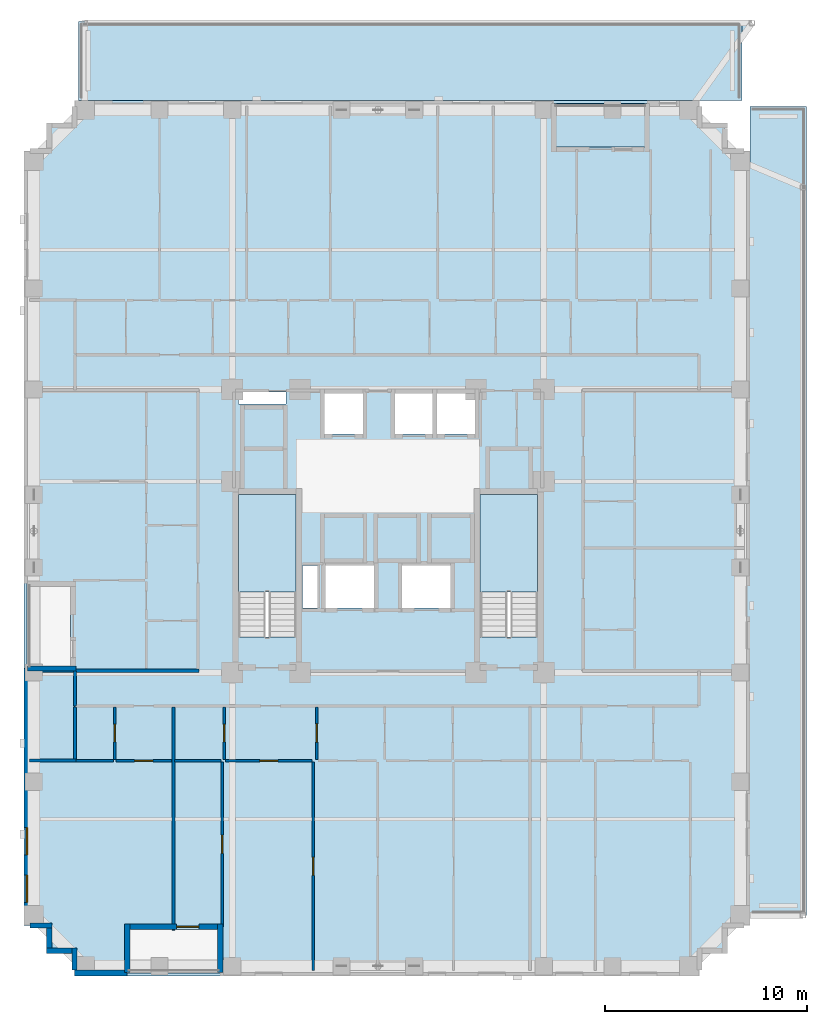
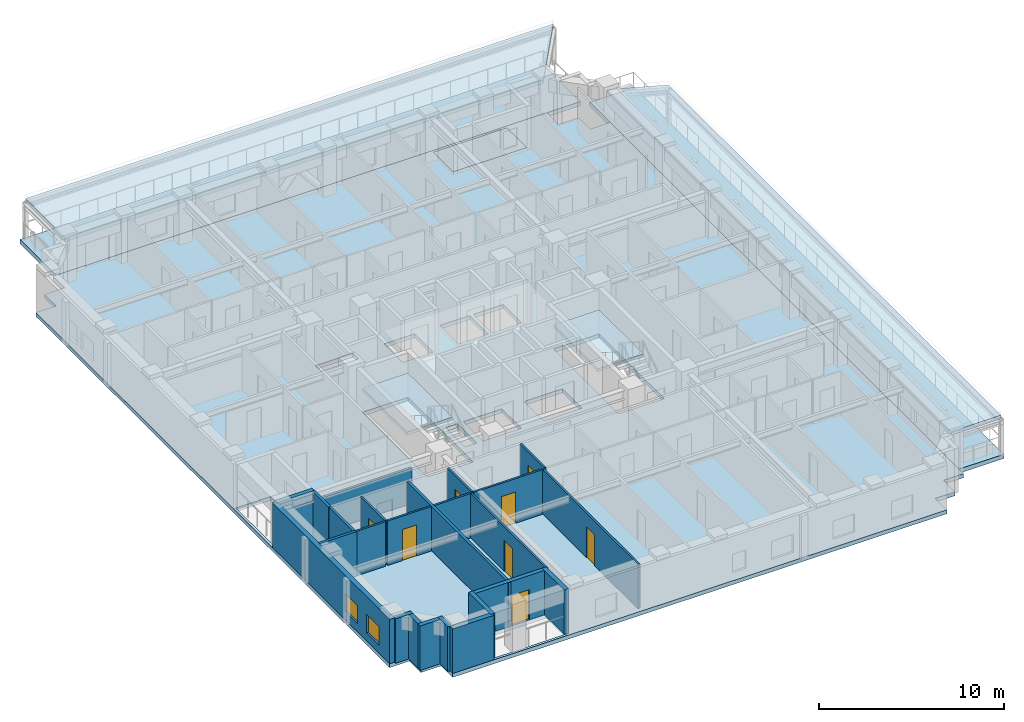
# One storey, part 6 of 16: 24 walls, 8 doors, 8 slabs, 2 windows, 10 openings, 2 elements without a shape of their own.
"""IFC4 building model written with IfcOpenShell, lengths in metres."""

from ifc_helpers import new_model, si_unit, derived_unit, direction, frame, frame_2d, origin, place, context, subcontext, project, spatial, polyline, rectangle, outline, extrude, material, layer, layer_set, type_object, element, fill, aggregate, save


model = new_model("IFC4")

# Units and contexts
model_context = context("Model", 3, precision=1e-05, world=origin(), true_north=direction((0.0, 1.0)))
body_context = subcontext(model_context, "Body", "Model", "MODEL_VIEW")
ifc_project = project(units=[si_unit("LENGTHUNIT", "METRE"), si_unit("AREAUNIT", "SQUARE_METRE"), si_unit("VOLUMEUNIT", "CUBIC_METRE"), si_unit("PLANEANGLEUNIT", "RADIAN"), si_unit("MASSUNIT", "GRAM", prefix="KILO"), derived_unit("THERMALTRANSMITTANCEUNIT", [(si_unit("MASSUNIT", "GRAM", prefix="KILO"), 1), (si_unit("TIMEUNIT", "SECOND"), -3), (si_unit("THERMODYNAMICTEMPERATUREUNIT", "KELVIN"), -1)])], contexts=[model_context])

# Site, building, storey
site_placement = place(None, origin())
site = spatial("IfcSite", under=ifc_project, at=site_placement, CompositionType="ELEMENT")
building_placement = place(site_placement, origin())
building = spatial("IfcBuilding", under=site, at=building_placement, Name="Korrvale Station Residences", CompositionType="ELEMENT")
storey_placement = place(building_placement, frame((0.0, 0.0, 75.10009765625)))
storey = spatial("IfcBuildingStorey", under=building, at=storey_placement, Name="L20", CompositionType="ELEMENT", Elevation=75.10009765625)

# Slabs
ifc_material_1 = material(Name="Concrete C50/60", Category="concrete")
ifc_layer_1 = layer(ifc_material_1, 0.219970703125, Name="Concrete C50/60")
ifc_layer_set_1 = layer_set([ifc_layer_1], Name="Concrete C50/60")
slab_type_1 = type_object("IfcSlabType", Name="SLB-BAL-220", PredefinedType="FLOOR", material=ifc_layer_set_1)
slab_1_placement = place(storey_placement, frame((0.0, 0.0, -0.22021484375)))
element("IfcSlab", 1, at=slab_1_placement, inside=storey, type_object=slab_type_1, Name="L20 Recessed Loggia Balcony Slab BAL-L20-N1", PredefinedType="FLOOR", context=body_context, shape_type="SweptSolid", body=[
    extrude(outline(polyline([(33.699951171875, 41.0), (38.300048828125, 41.0), (38.300048828125, 43.14990234375), (33.699951171875, 43.14990234375), (33.699951171875, 41.0)])), origin(), (0.0, 0.0, 1.0), 0.22021484375),
])
ifc_layer_2 = layer(ifc_material_1, 0.260009765625, Name="Concrete C50/60")
ifc_layer_set_2 = layer_set([ifc_layer_2], Name="Concrete C50/60")
slab_type_2 = type_object("IfcSlabType", Name="SLB-FLR-260", PredefinedType="FLOOR", material=ifc_layer_set_2)
slab_2_placement = place(storey_placement, frame((0.0, 0.0, -0.260009765625)))
element("IfcSlab", 2, at=slab_2_placement, inside=storey, type_object=slab_type_2, Name="L20 Suspended Structural Floor Slab", PredefinedType="FLOOR", context=body_context, shape_type="SweptSolid", body=[
    extrude(outline(polyline([(10.0, 0.0), (40.89990234375, 0.0), (40.89990234375, 1.25), (42.14990234375, 1.25), (42.14990234375, 2.5), (43.39990234375, 2.5), (43.39990234375, 40.800048828125), (42.14990234375, 40.800048828125), (42.14990234375, 42.050048828125), (40.89990234375, 42.050048828125), (40.89990234375, 43.300048828125), (10.0, 43.300048828125), (10.0, 42.050048828125), (8.75, 42.050048828125), (8.75, 40.800048828125), (7.5, 40.800048828125), (7.5, 2.5), (8.75, 2.5), (8.75, 1.25), (10.0, 1.25), (10.0, 0.0)]), holes=[polyline([(20.949951171875, 16.751953125), (20.949951171875, 23.800048828125), (18.10009765625, 23.800048828125), (18.10009765625, 16.751953125), (20.949951171875, 16.751953125)]), polyline([(32.89990234375, 16.751953125), (32.89990234375, 23.800048828125), (30.050048828125, 23.800048828125), (30.050048828125, 16.751953125), (32.89990234375, 16.751953125)]), polyline([(22.35009765625, 26.800048828125), (24.25, 26.800048828125), (24.25, 28.800048828125), (22.35009765625, 28.800048828125), (22.35009765625, 26.800048828125)]), polyline([(25.85009765625, 26.800048828125), (27.7099609375, 26.800048828125), (27.7099609375, 28.800048828125), (25.85009765625, 28.800048828125), (25.85009765625, 26.800048828125)]), polyline([(27.929931640625, 26.800048828125), (29.7900390625, 26.800048828125), (29.7900390625, 28.800048828125), (27.929931640625, 28.800048828125), (27.929931640625, 26.800048828125)]), polyline([(22.39990234375, 18.199951171875), (24.800048828125, 18.199951171875), (24.800048828125, 20.300048828125), (22.39990234375, 20.300048828125), (22.39990234375, 18.199951171875)]), polyline([(26.199951171875, 18.199951171875), (28.60009765625, 18.199951171875), (28.60009765625, 20.300048828125), (26.199951171875, 20.300048828125), (26.199951171875, 18.199951171875)]), polyline([(18.10009765625, 28.280029296875), (20.449951171875, 28.280029296875), (20.449951171875, 28.8798828125), (18.10009765625, 28.8798828125), (18.10009765625, 28.280029296875)]), polyline([(21.280029296875, 18.199951171875), (22.02001953125, 18.199951171875), (22.02001953125, 20.300048828125), (21.280029296875, 20.300048828125), (21.280029296875, 18.199951171875)]), polyline([(12.60009765625, 0.14990234375), (17.199951171875, 0.14990234375), (17.199951171875, 2.300048828125), (12.60009765625, 2.300048828125), (12.60009765625, 0.14990234375)]), polyline([(33.699951171875, 41.0), (38.300048828125, 41.0), (38.300048828125, 43.14990234375), (33.699951171875, 43.14990234375), (33.699951171875, 41.0)]), polyline([(7.64990234375, 15.199951171875), (9.800048828125, 15.199951171875), (9.800048828125, 19.39990234375), (7.64990234375, 19.39990234375), (7.64990234375, 15.199951171875)])]), origin(), (0.0, 0.0, 1.0), 0.260009765625),
])

# Stair, slab
stair_type = type_object("IfcStairType", Name="STR-DL-1350-18R-1778", PredefinedType="HALF_TURN_STAIR", material=ifc_material_1)
stair_1_placement = place(storey_placement, origin())
stair_1 = element("IfcStair", 3, at=stair_1_placement, inside=storey, type_object=stair_type, Name="L20 Exit Stair 1", PredefinedType="HALF_TURN_STAIR")
ifc_layer_3 = layer(ifc_material_1, 0.199951171875, Name="Concrete C50/60")
ifc_layer_set_3 = layer_set([ifc_layer_3], Name="Concrete C50/60")
slab_type_3 = type_object("IfcSlabType", Name="SLB-LND-200", PredefinedType="LANDING", material=ifc_layer_set_3)
slab_3_placement = place(storey_placement, frame((0.0, 0.0, 1.39990234375)))
slab_3 = element("IfcSlab", 4, at=slab_3_placement, type_object=slab_type_3, Name="ST-1 landing 1", PredefinedType="LANDING", context=body_context, shape_type="SweptSolid", body=[
    extrude(outline(polyline([(20.949951171875, 18.989990234375), (20.949951171875, 23.800048828125), (18.10009765625, 23.800048828125), (18.10009765625, 18.989990234375), (20.949951171875, 18.989990234375)])), origin(), (0.0, 0.0, 1.0), 0.199951171875),
])
aggregate(stair_1, [slab_3])

stair_2_placement = place(storey_placement, origin())
stair_2 = element("IfcStair", 5, at=stair_2_placement, inside=storey, type_object=stair_type, Name="L20 Exit Stair 2", PredefinedType="HALF_TURN_STAIR")
slab_4_placement = place(storey_placement, frame((0.0, 0.0, 1.39990234375)))
slab_4 = element("IfcSlab", 6, at=slab_4_placement, type_object=slab_type_3, Name="ST-2 landing 1", PredefinedType="LANDING", context=body_context, shape_type="SweptSolid", body=[
    extrude(outline(polyline([(32.89990234375, 18.989990234375), (32.89990234375, 23.800048828125), (30.050048828125, 23.800048828125), (30.050048828125, 18.989990234375), (32.89990234375, 18.989990234375)])), origin(), (0.0, 0.0, 1.0), 0.199951171875),
])
aggregate(stair_2, [slab_4])

# Slabs
ifc_layer_4 = layer(ifc_material_1, 0.300048828125, Name="Concrete C50/60")
ifc_layer_set_4 = layer_set([ifc_layer_4], Name="Concrete C50/60")
slab_type_4 = type_object("IfcSlabType", Name="SLB-ROOF-300", PredefinedType="ROOF", material=ifc_layer_set_4)
slab_5_placement = place(storey_placement, frame((0.0, 0.0, 2.39990234375)))
element("IfcSlab", 7, at=slab_5_placement, inside=storey, type_object=slab_type_4, Name="L20 Frame-Carried Setback Terrace Roof Deck TER-L20-N", PredefinedType="ROOF", context=body_context, shape_type="SweptSolid", body=[
    extrude(outline(polyline([(10.5, 47.1201171875), (43.5, 47.1201171875), (40.39990234375, 42.820068359375), (10.5, 42.820068359375), (10.5, 47.1201171875)])), origin(), (0.0, 0.0, 1.0), 0.25),
])
slab_6_placement = place(storey_placement, frame((0.0, 0.0, 2.39990234375)))
element("IfcSlab", 8, at=slab_6_placement, inside=storey, type_object=slab_type_4, Name="L20 Frame-Carried Setback Terrace Roof Deck TER-L20-E", PredefinedType="ROOF", context=body_context, shape_type="SweptSolid", body=[
    extrude(outline(polyline([(46.02001953125, 3.0), (46.02001953125, 39.0), (42.919921875, 40.300048828125), (42.919921875, 3.0), (46.02001953125, 3.0)])), origin(), (0.0, 0.0, 1.0), 0.25),
])
ifc_layer_5 = layer(ifc_material_1, 0.280029296875, Name="Concrete C50/60")
ifc_layer_set_5 = layer_set([ifc_layer_5], Name="Concrete C50/60")
slab_type_5 = type_object("IfcSlabType", Name="SLB-TER-280", PredefinedType="FLOOR", material=ifc_layer_set_5)
slab_7_placement = place(storey_placement, frame((0.0, 0.0, -0.280029296875)))
element("IfcSlab", 9, at=slab_7_placement, inside=storey, type_object=slab_type_5, Name="L20 Outdoor Setback Terrace Slab TER-L20-N", PredefinedType="FLOOR", context=body_context, shape_type="SweptSolid", body=[
    extrude(outline(polyline([(10.199951171875, 43.300048828125), (43.0, 43.300048828125), (43.0, 47.199951171875), (10.199951171875, 47.199951171875), (10.199951171875, 43.300048828125)])), origin(), (0.0, 0.0, 1.0), 0.280029296875),
])
slab_8_placement = place(storey_placement, frame((0.0, 0.0, -0.280029296875)))
element("IfcSlab", 10, at=slab_8_placement, inside=storey, type_object=slab_type_5, Name="L20 Outdoor Setback Terrace Slab TER-L20-E", PredefinedType="FLOOR", context=body_context, shape_type="SweptSolid", body=[
    extrude(outline(polyline([(43.39990234375, 3.0), (46.199951171875, 3.0), (46.199951171875, 43.0), (43.39990234375, 43.0), (43.39990234375, 3.0)])), origin(), (0.0, 0.0, 1.0), 0.280029296875),
])

# Wall
ifc_material_2 = material(Name="Precast concrete C45/55", Category="concrete")
ifc_layer_6 = layer(ifc_material_2, 0.260009765625, Name="Precast concrete C45/55")
ifc_layer_set_6 = layer_set([ifc_layer_6], Name="Precast concrete C45/55")
wall_type_1 = type_object("IfcWallType", Name="WAL-EXT-LOG260", PredefinedType="SOLIDWALL", material=ifc_layer_set_6)
wall_1_placement = place(storey_placement, frame((17.199951171875, 0.159912109375, 0.0), z_axis=(0.0, 0.0, 1.0), x_axis=(0.0, 1.0, 0.0)))
element("IfcWall", 11, at=wall_1_placement, inside=storey, type_object=wall_type_1, Name="L20 Recessed Loggia Wall BAL-L20-S1-L", PredefinedType="SOLIDWALL", context=body_context, shape_type="SweptSolid", body=[
    extrude(rectangle(XDim=2.400146484375, YDim=0.260009765625, at=frame_2d((1.2001953125, 0.0))), origin(), (0.0, 0.0, 1.0), 2.93994140625),
])

# Wall, opening, door
wall_2_placement = place(storey_placement, frame((17.06591796875, 2.429931640625, 0.0), z_axis=(0.0, 0.0, 1.0), x_axis=(-1.0, 0.0, 0.0)))
wall_2 = element("IfcWall", 12, at=wall_2_placement, inside=storey, type_object=wall_type_1, Name="L20 Recessed Loggia Wall BAL-L20-S1-B", PredefinedType="SOLIDWALL", context=body_context, shape_type="SweptSolid", body=[
    extrude(rectangle(XDim=4.33203125, YDim=0.260009765625, at=frame_2d((2.166015625, 0.0))), origin(), (0.0, 0.0, 1.0), 2.93994140625),
])
opening_1_placement = place(wall_2_placement, frame((0.919921875, 0.0, 0.0)))
opening_1 = element("IfcOpeningElement", 13, at=opening_1_placement, cuts=wall_2, Name="Opening BD-01", PredefinedType="OPENING", context=body_context, shape_type="SweptSolid", body=[
    extrude(rectangle(XDim=1.10009765625, YDim=2.0, at=frame_2d((0.550048828125, 1.0))), frame((0.0, 0.14013671875, 0.0), z_axis=(0.0, -1.0, 0.0), x_axis=(1.0, 0.0, 0.0)), (0.0, 0.0, 1.0), 0.280029296875),
])
ifc_material_3 = material(Name="Exterior thermally broken aluminium glazed balcony door", Category="aluminium")
door_type_1 = type_object("IfcDoorType", Name="DR-EXT-BAL", OperationType="NOTDEFINED", PredefinedType="DOOR", material=ifc_material_3)
door_1_placement = place(opening_1_placement, origin())
door_1 = element("IfcDoor", 14, at=door_1_placement, inside=storey, type_object=door_type_1, Name="L20 Loggia Balcony Door BAL-L20-S1", OperationType="SINGLE_SWING_RIGHT", OverallHeight=2.0, OverallWidth=1.10009765625, PredefinedType="DOOR", context=body_context, shape_type="SweptSolid", body=[
    extrude(rectangle(XDim=1.10009765625, YDim=2.0, at=frame_2d((0.550048828125, 1.0))), frame((0.0, 0.02490234375, 0.0), z_axis=(0.0, -1.0, 0.0), x_axis=(1.0, 0.0, 0.0)), (0.0, 0.0, 1.0), 0.050048828125),
])
fill(opening_1, door_1)

# Walls
for number, where, z_axis, x_axis, name in (
    (15, (12.60009765625, 2.56005859375, 0.0), (0.0, 0.0, 1.0), (0.0, -1.0, 0.0), "L20 Recessed Loggia Wall BAL-L20-S1-R"),
    (16, (7.659912109375, 15.199951171875, 0.0), (0.0, 0.0, 1.0), (1.0, 0.0, 0.0), "L20 Recessed Loggia Wall BAL-L20-W1-L"),
):
    element("IfcWall", number, at=place(storey_placement, frame(where, z_axis=z_axis, x_axis=x_axis)), inside=storey, type_object=wall_type_1, Name=name, PredefinedType="SOLIDWALL", context=body_context, shape_type="SweptSolid", body=[
        extrude(rectangle(XDim=2.400146484375, YDim=0.260009765625, at=frame_2d((1.2001953125, 0.0))), origin(), (0.0, 0.0, 1.0), 2.93994140625),
    ])
wall_3_placement = place(storey_placement, frame((10.0, 0.302001953125, 0.0), z_axis=(0.0, 0.0, 1.0), x_axis=(0.0, 1.0, 0.0)))
element("IfcWall", 17, at=wall_3_placement, inside=storey, type_object=wall_type_1, Name="L20 Serrated Corner Precast Step SW-1", PredefinedType="SOLIDWALL", context=body_context, shape_type="SweptSolid", body=[
    extrude(rectangle(XDim=1.077880859375, YDim=0.260009765625, at=frame_2d((0.5390625, 0.0))), origin(), (0.0, 0.0, 1.0), 2.93994140625),
])
wall_4_placement = place(storey_placement, frame((9.867919921875, 1.25, 0.0), z_axis=(0.0, 0.0, 1.0), x_axis=(-1.0, 0.0, 0.0)))
element("IfcWall", 18, at=wall_4_placement, inside=storey, type_object=wall_type_1, Name="L20 Serrated Corner Precast Step SW-2", PredefinedType="SOLIDWALL", context=body_context, shape_type="SweptSolid", body=[
    extrude(rectangle(XDim=1.247802734375, YDim=0.260009765625, at=frame_2d((0.6240234375, 0.0))), origin(), (0.0, 0.0, 1.0), 2.93994140625),
])
wall_5_placement = place(storey_placement, frame((8.75, 1.382080078125, 0.0), z_axis=(0.0, 0.0, 1.0), x_axis=(0.0, 1.0, 0.0)))
element("IfcWall", 19, at=wall_5_placement, inside=storey, type_object=wall_type_1, Name="L20 Serrated Corner Precast Step SW-3", PredefinedType="SOLIDWALL", context=body_context, shape_type="SweptSolid", body=[
    extrude(rectangle(XDim=0.98583984375, YDim=0.260009765625, at=frame_2d((0.492919921875, 0.0))), origin(), (0.0, 0.0, 1.0), 2.93994140625),
])
wall_6_placement = place(storey_placement, frame((8.8798828125, 2.5, 0.0), z_axis=(0.0, 0.0, 1.0), x_axis=(-1.0, 0.0, 0.0)))
element("IfcWall", 20, at=wall_6_placement, inside=storey, type_object=wall_type_1, Name="L20 Serrated Corner Precast Step SW-4", PredefinedType="SOLIDWALL", context=body_context, shape_type="SweptSolid", body=[
    extrude(rectangle(XDim=1.077880859375, YDim=0.260009765625, at=frame_2d((0.5390625, 0.0))), origin(), (0.0, 0.0, 1.0), 2.93994140625),
])
ifc_layer_7 = layer(ifc_material_2, 0.300048828125, Name="Precast concrete C45/55")
ifc_layer_set_7 = layer_set([ifc_layer_7], Name="Precast concrete C45/55")
wall_type_2 = type_object("IfcWallType", Name="WAL-EXT-PC300", PredefinedType="SOLIDWALL", material=ifc_layer_set_7)
wall_7_placement = place(storey_placement, frame((12.60009765625, 0.14990234375, 0.0), z_axis=(0.0, 0.0, 1.0), x_axis=(-1.0, 0.0, 0.0)))
element("IfcWall", 21, at=wall_7_placement, inside=storey, type_object=wall_type_2, Name="L20 South Exterior Precast Wall 2", PredefinedType="SOLIDWALL", context=body_context, shape_type="SweptSolid", body=[
    extrude(rectangle(XDim=2.60009765625, YDim=0.300048828125, at=frame_2d((1.300048828125, 0.0))), origin(), (0.0, 0.0, 1.0), 2.93994140625),
])

# Wall, openings, windows
wall_8_placement = place(storey_placement, frame((7.64990234375, 2.5, 0.0), z_axis=(0.0, 0.0, 1.0), x_axis=(0.0, 1.0, 0.0)))
wall_8 = element("IfcWall", 22, at=wall_8_placement, inside=storey, type_object=wall_type_2, Name="L20 West Exterior Precast Wall 1", PredefinedType="SOLIDWALL", context=body_context, shape_type="SweptSolid", body=[
    extrude(rectangle(XDim=12.699951171875, YDim=0.300048828125, at=frame_2d((6.35009765625, 0.0))), origin(), (0.0, 0.0, 1.0), 2.93994140625),
])
opening_2_placement = place(wall_8_placement, frame((3.48193359375, 0.0, 0.550048828125)))
opening_2 = element("IfcOpeningElement", 23, at=opening_2_placement, cuts=wall_8, Name="Opening W-10", PredefinedType="OPENING", context=body_context, shape_type="SweptSolid", body=[
    extrude(rectangle(XDim=1.35009765625, YDim=1.199951171875, at=frame_2d((0.675048828125, 0.60009765625))), frame((0.0, 0.16015625, 0.0), z_axis=(0.0, -1.0, 0.0), x_axis=(1.0, 0.0, 0.0)), (0.0, 0.0, 1.0), 0.320068359375),
])
opening_3_placement = place(wall_8_placement, frame((1.135009765625, 0.0, 0.550048828125)))
opening_3 = element("IfcOpeningElement", 24, at=opening_3_placement, cuts=wall_8, Name="Opening W-10", PredefinedType="OPENING", context=body_context, shape_type="SweptSolid", body=[
    extrude(rectangle(XDim=1.35009765625, YDim=1.199951171875, at=frame_2d((0.675048828125, 0.60009765625))), frame((0.0, 0.16015625, 0.0), z_axis=(0.0, -1.0, 0.0), x_axis=(1.0, 0.0, 0.0)), (0.0, 0.0, 1.0), 0.320068359375),
])
ifc_material_4 = material(Name="Thermally broken aluminium frame with triple low-e glazing", Category="aluminium")
window_type = type_object("IfcWindowType", Name="WIN-W10", PartitioningType="SINGLE_PANEL", PredefinedType="WINDOW", material=ifc_material_4)
window_1_placement = place(opening_2_placement, origin())
window_1 = element("IfcWindow", 25, at=window_1_placement, inside=storey, type_object=window_type, Name="L20 Punched Window 01", OverallHeight=1.199951171875, OverallWidth=1.35009765625, PartitioningType="SINGLE_PANEL", PredefinedType="WINDOW", context=body_context, shape_type="SweptSolid", body=[
    extrude(rectangle(XDim=1.35009765625, YDim=1.199951171875, at=frame_2d((0.675048828125, 0.60009765625))), frame((0.0, 0.030029296875, 0.0), z_axis=(0.0, -1.0, 0.0), x_axis=(1.0, 0.0, 0.0)), (0.0, 0.0, 1.0), 0.06005859375),
])
fill(opening_2, window_1)
window_2_placement = place(opening_3_placement, origin())
window_2 = element("IfcWindow", 26, at=window_2_placement, inside=storey, type_object=window_type, Name="L20 Punched Window 02", OverallHeight=1.199951171875, OverallWidth=1.35009765625, PartitioningType="SINGLE_PANEL", PredefinedType="WINDOW", context=body_context, shape_type="SweptSolid", body=[
    extrude(rectangle(XDim=1.35009765625, YDim=1.199951171875, at=frame_2d((0.675048828125, 0.60009765625))), frame((0.0, 0.030029296875, 0.0), z_axis=(0.0, -1.0, 0.0), x_axis=(1.0, 0.0, 0.0)), (0.0, 0.0, 1.0), 0.06005859375),
])
fill(opening_3, window_2)

# Wall, opening, door
ifc_material_5 = material(Name="Acoustic steel-stud gypsum board partition", Category="steel")
ifc_layer_8 = layer(ifc_material_5, 0.1201171875, Name="Acoustic steel-stud gypsum board partition")
ifc_layer_set_8 = layer_set([ifc_layer_8], Name="Acoustic steel-stud gypsum board partition")
wall_type_3 = type_object("IfcWallType", Name="WAL-PART-125", PredefinedType="PARTITIONING", material=ifc_layer_set_8)
wall_9_placement = place(storey_placement, frame((11.989990234375, 10.7099609375, 0.0), z_axis=(0.0, 0.0, 1.0), x_axis=(0.0, 1.0, 0.0)))
wall_9 = element("IfcWall", 27, at=wall_9_placement, inside=storey, type_object=wall_type_3, Name="L20 Suite Partition U01-V01", PredefinedType="PARTITIONING", context=body_context, shape_type="SweptSolid", body=[
    extrude(rectangle(XDim=2.60009765625, YDim=0.1201171875, at=frame_2d((1.300048828125, 0.0))), origin(), (0.0, 0.0, 1.0), 2.93994140625),
])
opening_4_placement = place(wall_9_placement, frame((0.8701171875, 0.0, 0.0)))
opening_4 = element("IfcOpeningElement", 28, at=opening_4_placement, cuts=wall_9, Name="Opening DB-860", PredefinedType="OPENING", context=body_context, shape_type="SweptSolid", body=[
    extrude(rectangle(XDim=0.860107421875, YDim=2.050048828125, at=frame_2d((0.43017578125, 1.02490234375))), frame((0.0, 0.070068359375, 0.0), z_axis=(0.0, -1.0, 0.0), x_axis=(1.0, 0.0, 0.0)), (0.0, 0.0, 1.0), 0.14013671875),
])
ifc_material_6 = material(Name="Moisture-resistant solid-core bathroom door", Category="timber")
door_type_2 = type_object("IfcDoorType", Name="DR-BATH-860", OperationType="NOTDEFINED", PredefinedType="DOOR", material=ifc_material_6)
door_2_placement = place(opening_4_placement, origin())
door_2 = element("IfcDoor", 29, at=door_2_placement, inside=storey, type_object=door_type_2, Name="L20 Studio Apartment L20-U01 Bathroom Door", OperationType="SINGLE_SWING_RIGHT", OverallHeight=2.050048828125, OverallWidth=0.860107421875, PredefinedType="DOOR", context=body_context, shape_type="SweptSolid", body=[
    extrude(rectangle(XDim=0.860107421875, YDim=2.050048828125, at=frame_2d((0.43017578125, 1.02490234375))), frame((0.0, 0.02490234375, 0.0), z_axis=(0.0, -1.0, 0.0), x_axis=(1.0, 0.0, 0.0)), (0.0, 0.0, 1.0), 0.050048828125),
])
fill(opening_4, door_2)

# Wall
wall_10_placement = place(storey_placement, frame((10.080078125, 10.64990234375, 0.0), z_axis=(0.0, 0.0, 1.0), x_axis=(1.0, 0.0, 0.0)))
element("IfcWall", 30, at=wall_10_placement, inside=storey, type_object=wall_type_3, Name="L20 Suite Partition U01-H02", PredefinedType="PARTITIONING", context=body_context, shape_type="SweptSolid", body=[
    extrude(rectangle(XDim=1.849853515625, YDim=0.1201171875, at=frame_2d((0.9248046875, 0.0))), origin(), (0.0, 0.0, 1.0), 2.93994140625),
])

# Wall, opening, door
wall_11_placement = place(storey_placement, frame((12.050048828125, 10.64990234375, 0.0), z_axis=(0.0, 0.0, 1.0), x_axis=(1.0, 0.0, 0.0)))
wall_11 = element("IfcWall", 31, at=wall_11_placement, inside=storey, type_object=wall_type_3, Name="L20 Suite Partition U01-H12", PredefinedType="PARTITIONING", context=body_context, shape_type="SweptSolid", body=[
    extrude(rectangle(XDim=2.73583984375, YDim=0.1201171875, at=frame_2d((1.367919921875, 0.0))), origin(), (0.0, 0.0, 1.0), 2.93994140625),
])
opening_5_placement = place(wall_11_placement, frame((0.91796875, 0.0, 0.0)))
opening_5 = element("IfcOpeningElement", 32, at=opening_5_placement, cuts=wall_11, Name="Opening DI-900", PredefinedType="OPENING", context=body_context, shape_type="SweptSolid", body=[
    extrude(rectangle(XDim=0.89990234375, YDim=2.050048828125, at=frame_2d((0.449951171875, 1.02490234375))), frame((0.0, 0.070068359375, 0.0), z_axis=(0.0, -1.0, 0.0), x_axis=(1.0, 0.0, 0.0)), (0.0, 0.0, 1.0), 0.14013671875),
])
ifc_material_7 = material(Name="Painted solid-core timber interior room door", Category="wood")
door_type_3 = type_object("IfcDoorType", Name="DR-INT-900", OperationType="NOTDEFINED", PredefinedType="DOOR", material=ifc_material_7)
door_3_placement = place(opening_5_placement, origin())
door_3 = element("IfcDoor", 33, at=door_3_placement, inside=storey, type_object=door_type_3, Name="L20 Studio Apartment L20-U01 Kitchen Door", OperationType="SINGLE_SWING_LEFT", OverallHeight=2.050048828125, OverallWidth=0.89990234375, PredefinedType="DOOR", context=body_context, shape_type="SweptSolid", body=[
    extrude(rectangle(XDim=0.89990234375, YDim=2.050048828125, at=frame_2d((0.449951171875, 1.02490234375))), frame((0.0, 0.02490234375, 0.0), z_axis=(0.0, -1.0, 0.0), x_axis=(1.0, 0.0, 0.0)), (0.0, 0.0, 1.0), 0.050048828125),
])
fill(opening_5, door_3)

wall_12_placement = place(storey_placement, frame((17.406005859375, 10.7099609375, 0.0), z_axis=(0.0, 0.0, 1.0), x_axis=(0.0, 1.0, 0.0)))
wall_12 = element("IfcWall", 34, at=wall_12_placement, inside=storey, type_object=wall_type_3, Name="L20 Suite Partition U02-V01", PredefinedType="PARTITIONING", context=body_context, shape_type="SweptSolid", body=[
    extrude(rectangle(XDim=2.60009765625, YDim=0.1201171875, at=frame_2d((1.300048828125, 0.0))), origin(), (0.0, 0.0, 1.0), 2.93994140625),
])
opening_6_placement = place(wall_12_placement, frame((0.8701171875, 0.0, 0.0)))
opening_6 = element("IfcOpeningElement", 35, at=opening_6_placement, cuts=wall_12, Name="Opening DB-860", PredefinedType="OPENING", context=body_context, shape_type="SweptSolid", body=[
    extrude(rectangle(XDim=0.860107421875, YDim=2.050048828125, at=frame_2d((0.43017578125, 1.02490234375))), frame((0.0, 0.070068359375, 0.0), z_axis=(0.0, -1.0, 0.0), x_axis=(1.0, 0.0, 0.0)), (0.0, 0.0, 1.0), 0.14013671875),
])
door_4_placement = place(opening_6_placement, origin())
door_4 = element("IfcDoor", 36, at=door_4_placement, inside=storey, type_object=door_type_2, Name="L20 Apartment 2BR L20-U02 Bathroom Door", OperationType="SINGLE_SWING_RIGHT", OverallHeight=2.050048828125, OverallWidth=0.860107421875, PredefinedType="DOOR", context=body_context, shape_type="SweptSolid", body=[
    extrude(rectangle(XDim=0.860107421875, YDim=2.050048828125, at=frame_2d((0.43017578125, 1.02490234375))), frame((0.0, 0.02490234375, 0.0), z_axis=(0.0, -1.0, 0.0), x_axis=(1.0, 0.0, 0.0)), (0.0, 0.0, 1.0), 0.050048828125),
])
fill(opening_6, door_4)

# Wall
wall_13_placement = place(storey_placement, frame((14.946044921875, 10.64990234375, 0.0), z_axis=(0.0, 0.0, 1.0), x_axis=(1.0, 0.0, 0.0)))
element("IfcWall", 37, at=wall_13_placement, inside=storey, type_object=wall_type_3, Name="L20 Suite Partition U02-H05", PredefinedType="PARTITIONING", context=body_context, shape_type="SweptSolid", body=[
    extrude(rectangle(XDim=2.300048828125, YDim=0.1201171875, at=frame_2d((1.14990234375, 0.0))), origin(), (0.0, 0.0, 1.0), 2.93994140625),
])

# Wall, opening, door
wall_14_placement = place(storey_placement, frame((21.966064453125, 10.7099609375, 0.0), z_axis=(0.0, 0.0, 1.0), x_axis=(0.0, 1.0, 0.0)))
wall_14 = element("IfcWall", 38, at=wall_14_placement, inside=storey, type_object=wall_type_3, Name="L20 Suite Partition U02-V12", PredefinedType="PARTITIONING", context=body_context, shape_type="SweptSolid", body=[
    extrude(rectangle(XDim=2.60009765625, YDim=0.1201171875, at=frame_2d((1.300048828125, 0.0))), origin(), (0.0, 0.0, 1.0), 2.93994140625),
])
opening_7_placement = place(wall_14_placement, frame((0.85009765625, 0.0, 0.0)))
opening_7 = element("IfcOpeningElement", 39, at=opening_7_placement, cuts=wall_14, Name="Opening DI-900", PredefinedType="OPENING", context=body_context, shape_type="SweptSolid", body=[
    extrude(rectangle(XDim=0.89990234375, YDim=2.050048828125, at=frame_2d((0.449951171875, 1.02490234375))), frame((0.0, 0.070068359375, 0.0), z_axis=(0.0, -1.0, 0.0), x_axis=(1.0, 0.0, 0.0)), (0.0, 0.0, 1.0), 0.14013671875),
])
door_5_placement = place(opening_7_placement, origin())
door_5 = element("IfcDoor", 40, at=door_5_placement, inside=storey, type_object=door_type_3, Name="L20 Apartment 2BR L20-U02 Kitchen Door", OperationType="SINGLE_SWING_LEFT", OverallHeight=2.050048828125, OverallWidth=0.89990234375, PredefinedType="DOOR", context=body_context, shape_type="SweptSolid", body=[
    extrude(rectangle(XDim=0.89990234375, YDim=2.050048828125, at=frame_2d((0.449951171875, 1.02490234375))), frame((0.0, 0.02490234375, 0.0), z_axis=(0.0, -1.0, 0.0), x_axis=(1.0, 0.0, 0.0)), (0.0, 0.0, 1.0), 0.050048828125),
])
fill(opening_7, door_5)

wall_15_placement = place(storey_placement, frame((17.466064453125, 10.64990234375, 0.0), z_axis=(0.0, 0.0, 1.0), x_axis=(1.0, 0.0, 0.0)))
wall_15 = element("IfcWall", 41, at=wall_15_placement, inside=storey, type_object=wall_type_3, Name="L20 Suite Partition U02-H16", PredefinedType="PARTITIONING", context=body_context, shape_type="SweptSolid", body=[
    extrude(rectangle(XDim=4.280029296875, YDim=0.1201171875, at=frame_2d((2.14013671875, 0.0))), origin(), (0.0, 0.0, 1.0), 2.93994140625),
])
opening_8_placement = place(wall_15_placement, frame((1.68994140625, 0.0, 0.0)))
opening_8 = element("IfcOpeningElement", 42, at=opening_8_placement, cuts=wall_15, Name="Opening DI-900", PredefinedType="OPENING", context=body_context, shape_type="SweptSolid", body=[
    extrude(rectangle(XDim=0.89990234375, YDim=2.050048828125, at=frame_2d((0.449951171875, 1.02490234375))), frame((0.0, 0.070068359375, 0.0), z_axis=(0.0, -1.0, 0.0), x_axis=(1.0, 0.0, 0.0)), (0.0, 0.0, 1.0), 0.14013671875),
])
door_6_placement = place(opening_8_placement, origin())
door_6 = element("IfcDoor", 43, at=door_6_placement, inside=storey, type_object=door_type_3, Name="L20 Apartment 2BR L20-U02 Kitchen Door", OperationType="SINGLE_SWING_RIGHT", OverallHeight=2.050048828125, OverallWidth=0.89990234375, PredefinedType="DOOR", context=body_context, shape_type="SweptSolid", body=[
    extrude(rectangle(XDim=0.89990234375, YDim=2.050048828125, at=frame_2d((0.449951171875, 1.02490234375))), frame((0.0, 0.02490234375, 0.0), z_axis=(0.0, -1.0, 0.0), x_axis=(1.0, 0.0, 0.0)), (0.0, 0.0, 1.0), 0.050048828125),
])
fill(opening_8, door_6)

wall_16_placement = place(storey_placement, frame((17.305908203125, 2.429931640625, 0.0), z_axis=(0.0, 0.0, 1.0), x_axis=(0.0, 1.0, 0.0)))
wall_16 = element("IfcWall", 44, at=wall_16_placement, inside=storey, type_object=wall_type_3, Name="L20 Suite Partition U02-V56", PredefinedType="PARTITIONING", context=body_context, shape_type="SweptSolid", body=[
    extrude(rectangle(XDim=8.16015625, YDim=0.1201171875, at=frame_2d((4.080078125, 0.0))), origin(), (0.0, 0.0, 1.0), 2.93994140625),
])
opening_9_placement = place(wall_16_placement, frame((3.6298828125, 0.0, 0.0)))
opening_9 = element("IfcOpeningElement", 45, at=opening_9_placement, cuts=wall_16, Name="Opening DI-900", PredefinedType="OPENING", context=body_context, shape_type="SweptSolid", body=[
    extrude(rectangle(XDim=0.89990234375, YDim=2.050048828125, at=frame_2d((0.449951171875, 1.02490234375))), frame((0.0, 0.070068359375, 0.0), z_axis=(0.0, -1.0, 0.0), x_axis=(1.0, 0.0, 0.0)), (0.0, 0.0, 1.0), 0.14013671875),
])
door_7_placement = place(opening_9_placement, origin())
door_7 = element("IfcDoor", 46, at=door_7_placement, inside=storey, type_object=door_type_3, Name="L20 Apartment 2BR L20-U02 Wardrobe Storage Room Door", OperationType="SINGLE_SWING_RIGHT", OverallHeight=2.050048828125, OverallWidth=0.89990234375, PredefinedType="DOOR", context=body_context, shape_type="SweptSolid", body=[
    extrude(rectangle(XDim=0.89990234375, YDim=2.050048828125, at=frame_2d((0.449951171875, 1.02490234375))), frame((0.0, 0.02490234375, 0.0), z_axis=(0.0, -1.0, 0.0), x_axis=(1.0, 0.0, 0.0)), (0.0, 0.0, 1.0), 0.050048828125),
])
fill(opening_9, door_7)

wall_17_placement = place(storey_placement, frame((21.805908203125, 0.280029296875, 0.0), z_axis=(0.0, 0.0, 1.0), x_axis=(0.0, 1.0, 0.0)))
wall_17 = element("IfcWall", 47, at=wall_17_placement, inside=storey, type_object=wall_type_3, Name="L20 Suite Partition U02-V67", PredefinedType="PARTITIONING", context=body_context, shape_type="SweptSolid", body=[
    extrude(rectangle(XDim=10.31005859375, YDim=0.1201171875, at=frame_2d((5.155029296875, 0.0))), origin(), (0.0, 0.0, 1.0), 2.93994140625),
])
opening_10_placement = place(wall_17_placement, frame((4.68994140625, 0.0, 0.0)))
opening_10 = element("IfcOpeningElement", 48, at=opening_10_placement, cuts=wall_17, Name="Opening DI-900", PredefinedType="OPENING", context=body_context, shape_type="SweptSolid", body=[
    extrude(rectangle(XDim=0.89990234375, YDim=2.050048828125, at=frame_2d((0.449951171875, 1.02490234375))), frame((0.0, 0.070068359375, 0.0), z_axis=(0.0, -1.0, 0.0), x_axis=(1.0, 0.0, 0.0)), (0.0, 0.0, 1.0), 0.14013671875),
])
door_8_placement = place(opening_10_placement, origin())
door_8 = element("IfcDoor", 49, at=door_8_placement, inside=storey, type_object=door_type_3, Name="L20 Apartment 2BR L20-U02 Living and Dining Room Door", OperationType="SINGLE_SWING_LEFT", OverallHeight=2.050048828125, OverallWidth=0.89990234375, PredefinedType="DOOR", context=body_context, shape_type="SweptSolid", body=[
    extrude(rectangle(XDim=0.89990234375, YDim=2.050048828125, at=frame_2d((0.449951171875, 1.02490234375))), frame((0.0, 0.02490234375, 0.0), z_axis=(0.0, -1.0, 0.0), x_axis=(1.0, 0.0, 0.0)), (0.0, 0.0, 1.0), 0.050048828125),
])
fill(opening_10, door_8)

# Walls
ifc_material_8 = material(Name="Fire-rated twin-stud gypsum and mineral wool shaftwall assembly", Category="gypsum")
ifc_layer_9 = layer(ifc_material_8, 0.159912109375, Name="Fire-rated twin-stud gypsum and mineral wool shaftwall assembly")
ifc_layer_set_9 = layer_set([ifc_layer_9], Name="Fire-rated twin-stud gypsum and mineral wool shaftwall assembly")
wall_type_4 = type_object("IfcWallType", Name="WAL-PART-200", PredefinedType="PARTITIONING", material=ifc_layer_set_9)
wall_18_placement = place(storey_placement, frame((10.02001953125, 13.35009765625, 0.0), z_axis=(0.0, 0.0, 1.0), x_axis=(0.0, 1.0, 0.0)))
element("IfcWall", 50, at=wall_18_placement, inside=storey, type_object=wall_type_4, Name="L20 Corridor South West Cap", PredefinedType="PARTITIONING", context=body_context, shape_type="SweptSolid", body=[
    extrude(rectangle(XDim=1.739990234375, YDim=0.159912109375, at=frame_2d((0.8701171875, 0.0))), origin(), (0.0, 0.0, 1.0), 2.93994140625),
])
wall_19_placement = place(storey_placement, frame((7.780029296875, 15.090087890625, 0.0), z_axis=(0.0, 0.0, 1.0), x_axis=(1.0, 0.0, 0.0)))
element("IfcWall", 51, at=wall_19_placement, inside=storey, type_object=wall_type_4, Name="L20 West Wing South Corridor Wall", PredefinedType="PARTITIONING", context=body_context, shape_type="SweptSolid", body=[
    extrude(rectangle(XDim=8.35986328125, YDim=0.159912109375, at=frame_2d((4.179931640625, 0.0))), origin(), (0.0, 0.0, 1.0), 2.308837890625),
])
wall_20_placement = place(storey_placement, frame((7.780029296875, 10.64990234375, 0.0), z_axis=(0.0, 0.0, 1.0), x_axis=(1.0, 0.0, 0.0)))
element("IfcWall", 52, at=wall_20_placement, inside=storey, type_object=wall_type_4, Name="L20 Corner Step Wall U01-L", PredefinedType="PARTITIONING", context=body_context, shape_type="SweptSolid", body=[
    extrude(rectangle(XDim=2.340087890625, YDim=0.159912109375, at=frame_2d((1.169921875, 0.0))), origin(), (0.0, 0.0, 1.0), 2.93994140625),
])
wall_21_placement = place(storey_placement, frame((10.02001953125, 10.64990234375, 0.0), z_axis=(0.0, 0.0, 1.0), x_axis=(0.0, 1.0, 0.0)))
element("IfcWall", 53, at=wall_21_placement, inside=storey, type_object=wall_type_4, Name="L20 Corner Step Cheek U01-L", PredefinedType="PARTITIONING", context=body_context, shape_type="SweptSolid", body=[
    extrude(rectangle(XDim=2.66015625, YDim=0.159912109375, at=frame_2d((1.330078125, 0.0))), origin(), (0.0, 0.0, 1.0), 2.93994140625),
])
wall_22_placement = place(storey_placement, frame((14.885986328125, 2.260009765625, 0.0), z_axis=(0.0, 0.0, 1.0), x_axis=(0.0, 1.0, 0.0)))
element("IfcWall", 54, at=wall_22_placement, inside=storey, type_object=wall_type_4, Name="L20 Demising Wall U02-W", PredefinedType="PARTITIONING", context=body_context, shape_type="SweptSolid", body=[
    extrude(rectangle(XDim=11.050048828125, YDim=0.159912109375, at=frame_2d((5.52490234375, 0.0))), origin(), (0.0, 0.0, 1.0), 2.93994140625),
])

save(model, "model.ifc")
